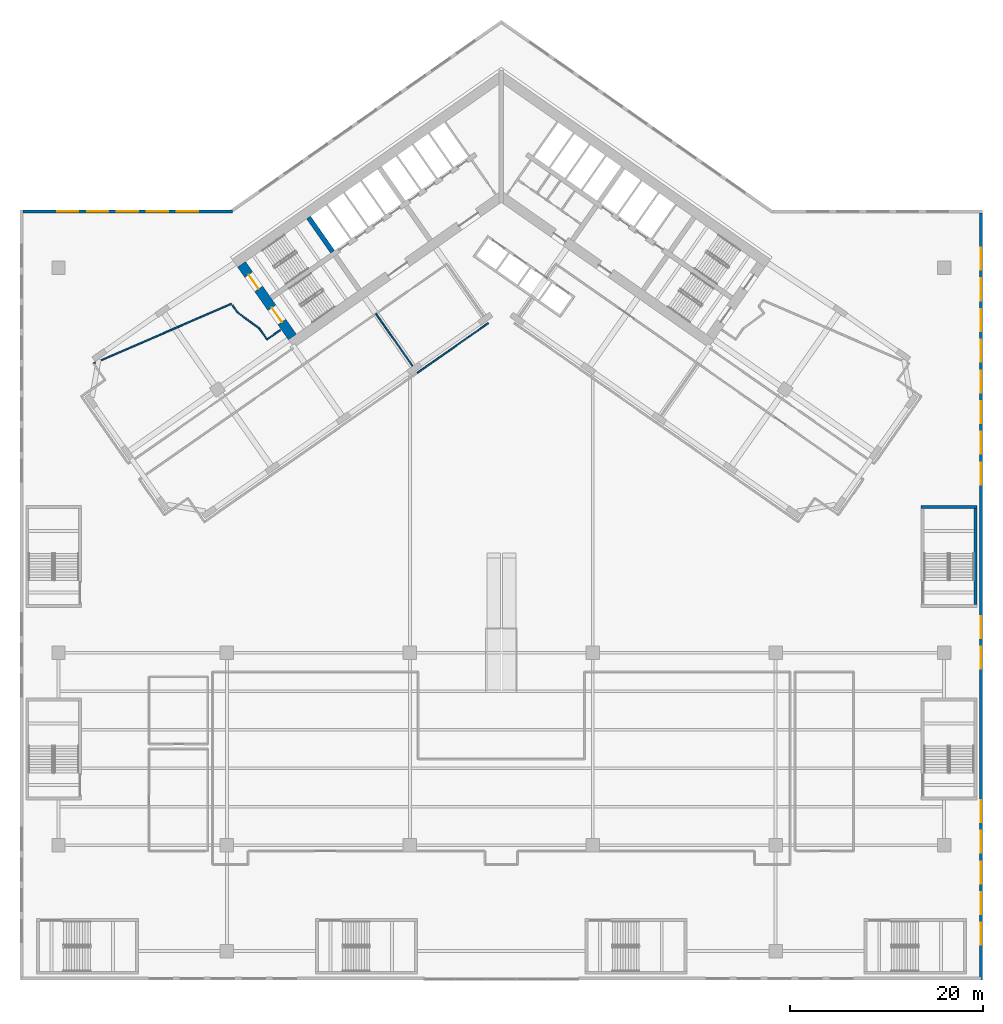
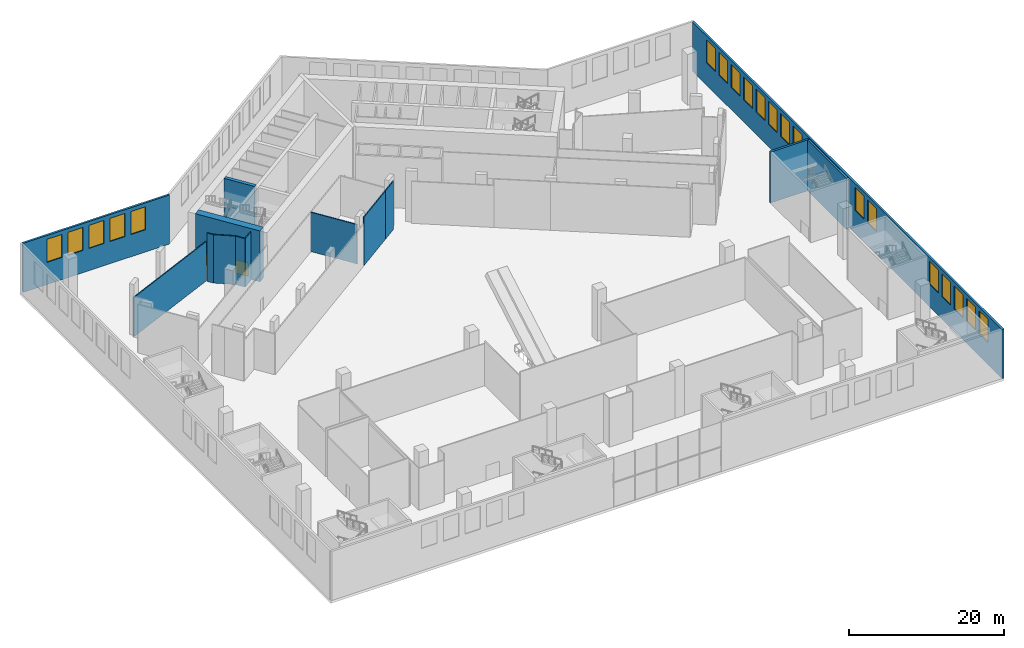
# One storey, part 9 of 27: 20 windows, 14 walls, 2 doors, 22 openings.
"""IFC4 building model written with IfcOpenShell, lengths in metres."""

from ifc_helpers import new_model, si_unit, direction, frame, frame_2d, origin, place, context, subcontext, project, spatial, polyline, rectangle, outline, extrude, material, layer, layer_set, type_object, element, fill, save


model = new_model("IFC4")

# Units and contexts
model_context = context("Model", 3, precision=1e-05, world=origin(), true_north=direction((0.0, 1.0)))
body_context = subcontext(model_context, "Body", "Model", "MODEL_VIEW")
ifc_project = project(units=[si_unit("LENGTHUNIT", "METRE"), si_unit("AREAUNIT", "SQUARE_METRE"), si_unit("VOLUMEUNIT", "CUBIC_METRE"), si_unit("PLANEANGLEUNIT", "RADIAN"), si_unit("MASSUNIT", "GRAM", prefix="KILO")], contexts=[model_context])

# Site, building, storey
site_placement = place(None, origin())
site = spatial("IfcSite", under=ifc_project, at=site_placement, CompositionType="ELEMENT")
building_placement = place(site_placement, origin())
building = spatial("IfcBuilding", under=site, at=building_placement, Name="Tel Ilan Convention Tower", CompositionType="ELEMENT")
storey_placement = place(building_placement, frame((0.0, 0.0, 18.0)))
storey = spatial("IfcBuildingStorey", under=building, at=storey_placement, Name="L02", CompositionType="ELEMENT", Elevation=18.0)

# Wall, openings, doors
ifc_material_1 = material(Name="Concrete C60/75", Category="concrete")
ifc_layer_1 = layer(ifc_material_1, 1.0)
ifc_layer_set_1 = layer_set([ifc_layer_1], Name="Core Shear Wall 1000 mm C60/75")
wall_type_1 = type_object("IfcWallType", Name="Core Shear Wall 1000 mm C60/75", PredefinedType="SHEAR", material=ifc_layer_set_1)
wall_1_placement = place(storey_placement, frame((-21.70751953125, -15.19970703125, 0.0), z_axis=(0.0, 0.0, 1.0), x_axis=(-0.573576324356, 0.819152122709, 0.0)))
wall_1 = element("IfcWall", 1, at=wall_1_placement, inside=storey, type_object=wall_type_1, Name="L02 core wall W-end", PredefinedType="SHEAR", context=body_context, shape_type="SweptSolid", body=[
    extrude(outline(polyline([(0.0, 0.5), (0.0, -0.5), (9.199951171875, -0.5), (9.199951171875, 0.5), (0.0, 0.5)])), origin(), (0.0, 0.0, 1.0), 8.0),
])
opening_1_placement = place(wall_1_placement, frame((6.10009765625, 0.0, 0.0)))
opening_1 = element("IfcOpeningElement", 2, at=opening_1_placement, cuts=wall_1, Name="Opening SD0501", PredefinedType="OPENING", context=body_context, shape_type="SweptSolid", body=[
    extrude(rectangle(XDim=1.800048828125, YDim=2.10009765625, at=frame_2d((0.89990234375, 1.050048828125))), frame((0.0, 0.510009765625, 0.0), z_axis=(0.0, -1.0, 0.0), x_axis=(1.0, 0.0, 0.0)), (0.0, 0.0, 1.0), 1.02001953125),
])
opening_2_placement = place(wall_1_placement, frame((1.89990234375, 0.0, 0.0)))
opening_2 = element("IfcOpeningElement", 3, at=opening_2_placement, cuts=wall_1, Name="Opening SD0502", PredefinedType="OPENING", context=body_context, shape_type="SweptSolid", body=[
    extrude(rectangle(XDim=1.800048828125, YDim=2.10009765625, at=frame_2d((0.89990234375, 1.050048828125))), frame((0.0, 0.510009765625, 0.0), z_axis=(0.0, -1.0, 0.0), x_axis=(1.0, 0.0, 0.0)), (0.0, 0.0, 1.0), 1.02001953125),
])
ifc_material_2 = material(Name="Galvanised Steel Door Leaf", Category="steel")
door_type = type_object("IfcDoorType", Name="Stair Fire Door 1800 x 2100 FD60S", OperationType="NOTDEFINED", PredefinedType="DOOR", material=ifc_material_2)
door_1_placement = place(opening_1_placement, origin())
door_1 = element("IfcDoor", 4, at=door_1_placement, inside=storey, type_object=door_type, Name="Stair S1 door", OperationType="DOUBLE_DOOR_SINGLE_SWING", OverallHeight=2.10009765625, OverallWidth=1.800048828125, PredefinedType="DOOR", context=body_context, shape_type="SweptSolid", body=[
    extrude(rectangle(XDim=1.800048828125, YDim=2.10009765625, at=frame_2d((0.89990234375, 1.050048828125))), frame((0.0, 0.02490234375, 0.0), z_axis=(0.0, -1.0, 0.0), x_axis=(1.0, 0.0, 0.0)), (0.0, 0.0, 1.0), 0.050048828125),
])
fill(opening_1, door_1)
door_2_placement = place(opening_2_placement, origin())
door_2 = element("IfcDoor", 5, at=door_2_placement, inside=storey, type_object=door_type, Name="Stair S2 door", OperationType="DOUBLE_DOOR_SINGLE_SWING", OverallHeight=2.10009765625, OverallWidth=1.800048828125, PredefinedType="DOOR", context=body_context, shape_type="SweptSolid", body=[
    extrude(rectangle(XDim=1.800048828125, YDim=2.10009765625, at=frame_2d((0.89990234375, 1.050048828125))), frame((0.0, 0.02490234375, 0.0), z_axis=(0.0, -1.0, 0.0), x_axis=(1.0, 0.0, 0.0)), (0.0, 0.0, 1.0), 0.050048828125),
])
fill(opening_2, door_2)

# Walls
ifc_material_3 = material(Name="Concrete C60/75", Category="concrete")
ifc_layer_2 = layer(ifc_material_3, 0.5)
ifc_layer_set_2 = layer_set([ifc_layer_2], Name="Core Shear Wall 500 mm C60/75")
wall_type_2 = type_object("IfcWallType", Name="Core Shear Wall 500 mm C60/75", PredefinedType="SHEAR", material=ifc_layer_set_2)
wall_2_placement = place(storey_placement, frame((-17.526611328125, -6.3515625, 0.0), z_axis=(0.0, 0.0, 1.0), x_axis=(-0.573530143085, 0.819184457233, 0.0)))
element("IfcWall", 6, at=wall_2_placement, inside=storey, type_object=wall_type_2, Name="L02 core wall W-cross2-2", PredefinedType="SHEAR", context=body_context, shape_type="SweptSolid", body=[
    extrude(outline(polyline([(4.35009765625, -0.249755859375), (4.35009765625, 0.250244140625), (0.0, 0.25), (0.0, -0.25), (4.35009765625, -0.249755859375)])), origin(), (0.0, 0.0, 1.0), 8.0),
])
ifc_material_4 = material(Name="Plasterboard on Steel Studs", Category="steel")
ifc_layer_3 = layer(ifc_material_4, 0.14990234375)
ifc_layer_set_3 = layer_set([ifc_layer_3], Name="Fire-rated Partition 150 EI 60")
wall_type_3 = type_object("IfcWallType", Name="Fire-rated Partition 150 EI 60", PredefinedType="PARTITIONING", material=ifc_layer_set_3)
wall_3_placement = place(storey_placement, frame((-8.722900390625, -18.92724609375, 0.0), z_axis=(0.0, 0.0, 1.0), x_axis=(0.81913387212, 0.573602388024, 0.0)))
element("IfcWall", 7, at=wall_3_placement, inside=storey, type_object=wall_type_3, Name="Partition 040", PredefinedType="PARTITIONING", context=body_context, shape_type="SweptSolid", body=[
    extrude(rectangle(XDim=6.5517578125, YDim=0.14990234375, at=frame_2d((3.27587890625, 0.0))), origin(), (0.0, 0.0, 1.0), 7.60009765625),
])
wall_4_placement = place(storey_placement, frame((-3.355224609375, -15.168701171875, 0.0), z_axis=(0.0, 0.0, 1.0), x_axis=(0.819157023945, 0.573569324599, 0.0)))
element("IfcWall", 8, at=wall_4_placement, inside=storey, type_object=wall_type_3, Name="Partition 064", PredefinedType="PARTITIONING", context=body_context, shape_type="SweptSolid", body=[
    extrude(rectangle(XDim=2.450439453125, YDim=0.14990234375, at=frame_2d((1.22509765625, 0.0))), origin(), (0.0, 0.0, 1.0), 7.60009765625),
])
wall_5_placement = place(storey_placement, frame((-28.0263671875, -11.751220703125, 0.0), z_axis=(0.0, 0.0, 1.0), x_axis=(-0.91753357696, -0.397658314577, 0.0)))
element("IfcWall", 9, at=wall_5_placement, inside=storey, type_object=wall_type_3, Name="Partition 069", PredefinedType="PARTITIONING", context=body_context, shape_type="SweptSolid", body=[
    extrude(rectangle(XDim=15.621337890625, YDim=0.14990234375, at=frame_2d((7.810546875, 0.0))), origin(), (0.0, 0.0, 1.0), 6.179931640625),
])
wall_6_placement = place(storey_placement, frame((-22.961181640625, -14.490478515625, 0.0), z_axis=(0.0, 0.0, 1.0), x_axis=(-0.819109000826, -0.573637903879, 0.0)))
element("IfcWall", 10, at=wall_6_placement, inside=storey, type_object=wall_type_3, Name="Partition 070", PredefinedType="PARTITIONING", context=body_context, shape_type="SweptSolid", body=[
    extrude(rectangle(XDim=1.679931640625, YDim=0.14990234375, at=frame_2d((0.83984375, 0.0))), origin(), (0.0, 0.0, 1.0), 7.60009765625),
])
wall_7_placement = place(storey_placement, frame((-24.337158203125, -15.4541015625, 0.0), z_axis=(0.0, 0.0, 1.0), x_axis=(-0.573571252353, 0.819155674139, 0.0)))
element("IfcWall", 11, at=wall_7_placement, inside=storey, type_object=wall_type_3, Name="Partition 071", PredefinedType="PARTITIONING", context=body_context, shape_type="SweptSolid", body=[
    extrude(rectangle(XDim=1.35400390625, YDim=0.14990234375, at=frame_2d((0.677001953125, 0.0))), origin(), (0.0, 0.0, 1.0), 7.60009765625),
])
wall_8_placement = place(storey_placement, frame((-25.11376953125, -14.344970703125, 0.0), z_axis=(0.0, 0.0, 1.0), x_axis=(-0.803169525988, 0.59575054555, 0.0)))
element("IfcWall", 12, at=wall_8_placement, inside=storey, type_object=wall_type_3, Name="Partition 072", PredefinedType="PARTITIONING", context=body_context, shape_type="SweptSolid", body=[
    extrude(rectangle(XDim=2.84619140625, YDim=0.14990234375, at=frame_2d((1.423095703125, 0.0))), origin(), (0.0, 0.0, 1.0), 7.60009765625),
])
wall_9_placement = place(storey_placement, frame((-27.399658203125, -12.6494140625, 0.0), z_axis=(0.0, 0.0, 1.0), x_axis=(-0.573713979357, 0.819055718428, 0.0)))
element("IfcWall", 13, at=wall_9_placement, inside=storey, type_object=wall_type_3, Name="Partition 073", PredefinedType="PARTITIONING", context=body_context, shape_type="SweptSolid", body=[
    extrude(rectangle(XDim=0.91162109375, YDim=0.14990234375, at=frame_2d((0.455810546875, 0.0))), origin(), (0.0, 0.0, 1.0), 7.60009765625),
])
wall_10_placement = place(storey_placement, frame((-9.22119140625, -18.212890625, 0.0), z_axis=(0.0, 0.0, 1.0), x_axis=(-0.573556251799, 0.819166177294, 0.0)))
element("IfcWall", 14, at=wall_10_placement, inside=storey, type_object=wall_type_3, Name="Partition 074", PredefinedType="PARTITIONING", context=body_context, shape_type="SweptSolid", body=[
    extrude(rectangle(XDim=6.630126953125, YDim=0.14990234375, at=frame_2d((3.31494140625, 0.0))), origin(), (0.0, 0.0, 1.0), 6.179931640625),
])

# Wall, openings, windows
ifc_material_5 = material(Name="Bronze aluminium cladding panel on insulated steel frame", Category="steel")
ifc_layer_4 = layer(ifc_material_5, 0.300048828125)
ifc_layer_set_4 = layer_set([ifc_layer_4], Name="PODIUM CLADDING WALL 300")
wall_type_4 = type_object("IfcWallType", Name="PODIUM CLADDING WALL 300", PredefinedType="SOLIDWALL", material=ifc_layer_set_4)
wall_11_placement = place(storey_placement, frame((-49.699951171875, -2.14990234375, 0.0), z_axis=(0.0, 0.0, 1.0), x_axis=(1.0, 0.0, 0.0)))
wall_11 = element("IfcWall", 15, at=wall_11_placement, inside=storey, type_object=wall_type_4, Name="Podium cladding wall", PredefinedType="SOLIDWALL", context=body_context, shape_type="SweptSolid", body=[
    extrude(rectangle(XDim=21.760986328125, YDim=0.300048828125, at=frame_2d((10.88037109375, 0.0))), origin(), (0.0, 0.0, 1.0), 7.719970703125),
])
opening_3_placement = place(wall_11_placement, frame((3.558837890625, 0.0, 3.5)))
opening_3 = element("IfcOpeningElement", 16, at=opening_3_placement, cuts=wall_11, Name="Opening W-05.026", PredefinedType="OPENING", context=body_context, shape_type="SweptSolid", body=[
    extrude(rectangle(XDim=2.208740234375, YDim=3.6201171875, at=frame_2d((1.1044921875, 1.81005859375))), frame((0.0, 0.159912109375, 0.0), z_axis=(0.0, -1.0, 0.0), x_axis=(1.0, 0.0, 0.0)), (0.0, 0.0, 1.0), 0.320068359375),
])
opening_4_placement = place(wall_11_placement, frame((6.66748046875, 0.0, 3.5)))
opening_4 = element("IfcOpeningElement", 17, at=opening_4_placement, cuts=wall_11, Name="Opening W-05.027", PredefinedType="OPENING", context=body_context, shape_type="SweptSolid", body=[
    extrude(rectangle(XDim=2.208740234375, YDim=3.6201171875, at=frame_2d((1.1044921875, 1.81005859375))), frame((0.0, 0.159912109375, 0.0), z_axis=(0.0, -1.0, 0.0), x_axis=(1.0, 0.0, 0.0)), (0.0, 0.0, 1.0), 0.320068359375),
])
opening_5_placement = place(wall_11_placement, frame((9.776123046875, 0.0, 3.5)))
opening_5 = element("IfcOpeningElement", 18, at=opening_5_placement, cuts=wall_11, Name="Opening W-05.028", PredefinedType="OPENING", context=body_context, shape_type="SweptSolid", body=[
    extrude(rectangle(XDim=2.208740234375, YDim=3.6201171875, at=frame_2d((1.1044921875, 1.81005859375))), frame((0.0, 0.159912109375, 0.0), z_axis=(0.0, -1.0, 0.0), x_axis=(1.0, 0.0, 0.0)), (0.0, 0.0, 1.0), 0.320068359375),
])
opening_6_placement = place(wall_11_placement, frame((12.884765625, 0.0, 3.5)))
opening_6 = element("IfcOpeningElement", 19, at=opening_6_placement, cuts=wall_11, Name="Opening W-05.029", PredefinedType="OPENING", context=body_context, shape_type="SweptSolid", body=[
    extrude(rectangle(XDim=2.208740234375, YDim=3.6201171875, at=frame_2d((1.1044921875, 1.81005859375))), frame((0.0, 0.159912109375, 0.0), z_axis=(0.0, -1.0, 0.0), x_axis=(1.0, 0.0, 0.0)), (0.0, 0.0, 1.0), 0.320068359375),
])
opening_7_placement = place(wall_11_placement, frame((15.99365234375, 0.0, 3.5)))
opening_7 = element("IfcOpeningElement", 20, at=opening_7_placement, cuts=wall_11, Name="Opening W-05.030", PredefinedType="OPENING", context=body_context, shape_type="SweptSolid", body=[
    extrude(rectangle(XDim=2.208740234375, YDim=3.6201171875, at=frame_2d((1.1044921875, 1.81005859375))), frame((0.0, 0.159912109375, 0.0), z_axis=(0.0, -1.0, 0.0), x_axis=(1.0, 0.0, 0.0)), (0.0, 0.0, 1.0), 0.320068359375),
])
ifc_material_6 = material(Name="Aluminium framed glazing, bronze anodised, tinted glass", Category="aluminium")
window_type_1 = type_object("IfcWindowType", Name="PODIUM WINDOW 2209x3620", PartitioningType="SINGLE_PANEL", PredefinedType="WINDOW", material=ifc_material_6)
window_1_placement = place(opening_3_placement, origin())
window_1 = element("IfcWindow", 21, at=window_1_placement, inside=storey, type_object=window_type_1, Name="Podium window", OverallHeight=3.6201171875, OverallWidth=2.208740234375, PartitioningType="SINGLE_PANEL", PredefinedType="WINDOW", context=body_context, shape_type="SweptSolid", body=[
    extrude(rectangle(XDim=2.208740234375, YDim=3.6201171875, at=frame_2d((1.1044921875, 1.81005859375))), frame((0.0, 0.030029296875, 0.0), z_axis=(0.0, -1.0, 0.0), x_axis=(1.0, 0.0, 0.0)), (0.0, 0.0, 1.0), 0.06005859375),
])
fill(opening_3, window_1)
window_2_placement = place(opening_4_placement, origin())
window_2 = element("IfcWindow", 22, at=window_2_placement, inside=storey, type_object=window_type_1, Name="Podium window", OverallHeight=3.6201171875, OverallWidth=2.208740234375, PartitioningType="SINGLE_PANEL", PredefinedType="WINDOW", context=body_context, shape_type="SweptSolid", body=[
    extrude(rectangle(XDim=2.208740234375, YDim=3.6201171875, at=frame_2d((1.1044921875, 1.81005859375))), frame((0.0, 0.030029296875, 0.0), z_axis=(0.0, -1.0, 0.0), x_axis=(1.0, 0.0, 0.0)), (0.0, 0.0, 1.0), 0.06005859375),
])
fill(opening_4, window_2)
window_3_placement = place(opening_5_placement, origin())
window_3 = element("IfcWindow", 23, at=window_3_placement, inside=storey, type_object=window_type_1, Name="Podium window", OverallHeight=3.6201171875, OverallWidth=2.208740234375, PartitioningType="SINGLE_PANEL", PredefinedType="WINDOW", context=body_context, shape_type="SweptSolid", body=[
    extrude(rectangle(XDim=2.208740234375, YDim=3.6201171875, at=frame_2d((1.1044921875, 1.81005859375))), frame((0.0, 0.030029296875, 0.0), z_axis=(0.0, -1.0, 0.0), x_axis=(1.0, 0.0, 0.0)), (0.0, 0.0, 1.0), 0.06005859375),
])
fill(opening_5, window_3)
window_4_placement = place(opening_6_placement, origin())
window_4 = element("IfcWindow", 24, at=window_4_placement, inside=storey, type_object=window_type_1, Name="Podium window", OverallHeight=3.6201171875, OverallWidth=2.208740234375, PartitioningType="SINGLE_PANEL", PredefinedType="WINDOW", context=body_context, shape_type="SweptSolid", body=[
    extrude(rectangle(XDim=2.208740234375, YDim=3.6201171875, at=frame_2d((1.1044921875, 1.81005859375))), frame((0.0, 0.030029296875, 0.0), z_axis=(0.0, -1.0, 0.0), x_axis=(1.0, 0.0, 0.0)), (0.0, 0.0, 1.0), 0.06005859375),
])
fill(opening_6, window_4)
window_5_placement = place(opening_7_placement, origin())
window_5 = element("IfcWindow", 25, at=window_5_placement, inside=storey, type_object=window_type_1, Name="Podium window", OverallHeight=3.6201171875, OverallWidth=2.208740234375, PartitioningType="SINGLE_PANEL", PredefinedType="WINDOW", context=body_context, shape_type="SweptSolid", body=[
    extrude(rectangle(XDim=2.208740234375, YDim=3.6201171875, at=frame_2d((1.1044921875, 1.81005859375))), frame((0.0, 0.030029296875, 0.0), z_axis=(0.0, -1.0, 0.0), x_axis=(1.0, 0.0, 0.0)), (0.0, 0.0, 1.0), 0.06005859375),
])
fill(opening_7, window_5)

wall_12_placement = place(storey_placement, frame((49.85009765625, -2.300048828125, 0.0), z_axis=(0.0, 0.0, 1.0), x_axis=(0.0, -1.0, 0.0)))
wall_12 = element("IfcWall", 26, at=wall_12_placement, inside=storey, type_object=wall_type_4, Name="Podium cladding wall", PredefinedType="SOLIDWALL", context=body_context, shape_type="SweptSolid", body=[
    extrude(rectangle(XDim=79.699951171875, YDim=0.300048828125, at=frame_2d((39.85009765625, 0.0))), origin(), (0.0, 0.0, 1.0), 7.719970703125),
])
opening_8_placement = place(wall_12_placement, frame((3.637939453125, 0.0, 3.5)))
opening_8 = element("IfcOpeningElement", 27, at=opening_8_placement, cuts=wall_12, Name="Opening W-05.054", PredefinedType="OPENING", context=body_context, shape_type="SweptSolid", body=[
    extrude(rectangle(XDim=2.2880859375, YDim=3.6201171875, at=frame_2d((1.14404296875, 1.81005859375))), frame((0.0, 0.159912109375, 0.0), z_axis=(0.0, -1.0, 0.0), x_axis=(1.0, 0.0, 0.0)), (0.0, 0.0, 1.0), 0.320068359375),
])
opening_9_placement = place(wall_12_placement, frame((6.825927734375, 0.0, 3.5)))
opening_9 = element("IfcOpeningElement", 28, at=opening_9_placement, cuts=wall_12, Name="Opening W-05.055", PredefinedType="OPENING", context=body_context, shape_type="SweptSolid", body=[
    extrude(rectangle(XDim=2.2880859375, YDim=3.6201171875, at=frame_2d((1.14404296875, 1.81005859375))), frame((0.0, 0.159912109375, 0.0), z_axis=(0.0, -1.0, 0.0), x_axis=(1.0, 0.0, 0.0)), (0.0, 0.0, 1.0), 0.320068359375),
])
opening_10_placement = place(wall_12_placement, frame((10.013916015625, 0.0, 3.5)))
opening_10 = element("IfcOpeningElement", 29, at=opening_10_placement, cuts=wall_12, Name="Opening W-05.056", PredefinedType="OPENING", context=body_context, shape_type="SweptSolid", body=[
    extrude(rectangle(XDim=2.2880859375, YDim=3.6201171875, at=frame_2d((1.14404296875, 1.81005859375))), frame((0.0, 0.159912109375, 0.0), z_axis=(0.0, -1.0, 0.0), x_axis=(1.0, 0.0, 0.0)), (0.0, 0.0, 1.0), 0.320068359375),
])
opening_11_placement = place(wall_12_placement, frame((13.201904296875, 0.0, 3.5)))
opening_11 = element("IfcOpeningElement", 30, at=opening_11_placement, cuts=wall_12, Name="Opening W-05.057", PredefinedType="OPENING", context=body_context, shape_type="SweptSolid", body=[
    extrude(rectangle(XDim=2.2880859375, YDim=3.6201171875, at=frame_2d((1.14404296875, 1.81005859375))), frame((0.0, 0.159912109375, 0.0), z_axis=(0.0, -1.0, 0.0), x_axis=(1.0, 0.0, 0.0)), (0.0, 0.0, 1.0), 0.320068359375),
])
opening_12_placement = place(wall_12_placement, frame((16.389892578125, 0.0, 3.5)))
opening_12 = element("IfcOpeningElement", 31, at=opening_12_placement, cuts=wall_12, Name="Opening W-05.058", PredefinedType="OPENING", context=body_context, shape_type="SweptSolid", body=[
    extrude(rectangle(XDim=2.2880859375, YDim=3.6201171875, at=frame_2d((1.14404296875, 1.81005859375))), frame((0.0, 0.159912109375, 0.0), z_axis=(0.0, -1.0, 0.0), x_axis=(1.0, 0.0, 0.0)), (0.0, 0.0, 1.0), 0.320068359375),
])
opening_13_placement = place(wall_12_placement, frame((19.577880859375, 0.0, 3.5)))
opening_13 = element("IfcOpeningElement", 32, at=opening_13_placement, cuts=wall_12, Name="Opening W-05.059", PredefinedType="OPENING", context=body_context, shape_type="SweptSolid", body=[
    extrude(rectangle(XDim=2.2880859375, YDim=3.6201171875, at=frame_2d((1.14404296875, 1.81005859375))), frame((0.0, 0.159912109375, 0.0), z_axis=(0.0, -1.0, 0.0), x_axis=(1.0, 0.0, 0.0)), (0.0, 0.0, 1.0), 0.320068359375),
])
opening_14_placement = place(wall_12_placement, frame((22.76611328125, 0.0, 3.5)))
opening_14 = element("IfcOpeningElement", 33, at=opening_14_placement, cuts=wall_12, Name="Opening W-05.060", PredefinedType="OPENING", context=body_context, shape_type="SweptSolid", body=[
    extrude(rectangle(XDim=2.2880859375, YDim=3.6201171875, at=frame_2d((1.14404296875, 1.81005859375))), frame((0.0, 0.159912109375, 0.0), z_axis=(0.0, -1.0, 0.0), x_axis=(1.0, 0.0, 0.0)), (0.0, 0.0, 1.0), 0.320068359375),
])
opening_15_placement = place(wall_12_placement, frame((25.9541015625, 0.0, 3.5)))
opening_15 = element("IfcOpeningElement", 34, at=opening_15_placement, cuts=wall_12, Name="Opening W-05.061", PredefinedType="OPENING", context=body_context, shape_type="SweptSolid", body=[
    extrude(rectangle(XDim=2.2880859375, YDim=3.6201171875, at=frame_2d((1.14404296875, 1.81005859375))), frame((0.0, 0.159912109375, 0.0), z_axis=(0.0, -1.0, 0.0), x_axis=(1.0, 0.0, 0.0)), (0.0, 0.0, 1.0), 0.320068359375),
])
opening_16_placement = place(wall_12_placement, frame((41.89404296875, 0.0, 3.5)))
opening_16 = element("IfcOpeningElement", 35, at=opening_16_placement, cuts=wall_12, Name="Opening W-05.062", PredefinedType="OPENING", context=body_context, shape_type="SweptSolid", body=[
    extrude(rectangle(XDim=2.2880859375, YDim=3.6201171875, at=frame_2d((1.14404296875, 1.81005859375))), frame((0.0, 0.159912109375, 0.0), z_axis=(0.0, -1.0, 0.0), x_axis=(1.0, 0.0, 0.0)), (0.0, 0.0, 1.0), 0.320068359375),
])
opening_17_placement = place(wall_12_placement, frame((45.08203125, 0.0, 3.5)))
opening_17 = element("IfcOpeningElement", 36, at=opening_17_placement, cuts=wall_12, Name="Opening W-05.063", PredefinedType="OPENING", context=body_context, shape_type="SweptSolid", body=[
    extrude(rectangle(XDim=2.2880859375, YDim=3.6201171875, at=frame_2d((1.14404296875, 1.81005859375))), frame((0.0, 0.159912109375, 0.0), z_axis=(0.0, -1.0, 0.0), x_axis=(1.0, 0.0, 0.0)), (0.0, 0.0, 1.0), 0.320068359375),
])
opening_18_placement = place(wall_12_placement, frame((61.02197265625, 0.0, 3.5)))
opening_18 = element("IfcOpeningElement", 37, at=opening_18_placement, cuts=wall_12, Name="Opening W-05.064", PredefinedType="OPENING", context=body_context, shape_type="SweptSolid", body=[
    extrude(rectangle(XDim=2.2880859375, YDim=3.6201171875, at=frame_2d((1.14404296875, 1.81005859375))), frame((0.0, 0.159912109375, 0.0), z_axis=(0.0, -1.0, 0.0), x_axis=(1.0, 0.0, 0.0)), (0.0, 0.0, 1.0), 0.320068359375),
])
opening_19_placement = place(wall_12_placement, frame((64.2099609375, 0.0, 3.5)))
opening_19 = element("IfcOpeningElement", 38, at=opening_19_placement, cuts=wall_12, Name="Opening W-05.065", PredefinedType="OPENING", context=body_context, shape_type="SweptSolid", body=[
    extrude(rectangle(XDim=2.2880859375, YDim=3.6201171875, at=frame_2d((1.14404296875, 1.81005859375))), frame((0.0, 0.159912109375, 0.0), z_axis=(0.0, -1.0, 0.0), x_axis=(1.0, 0.0, 0.0)), (0.0, 0.0, 1.0), 0.320068359375),
])
opening_20_placement = place(wall_12_placement, frame((67.39794921875, 0.0, 3.5)))
opening_20 = element("IfcOpeningElement", 39, at=opening_20_placement, cuts=wall_12, Name="Opening W-05.066", PredefinedType="OPENING", context=body_context, shape_type="SweptSolid", body=[
    extrude(rectangle(XDim=2.2880859375, YDim=3.6201171875, at=frame_2d((1.14404296875, 1.81005859375))), frame((0.0, 0.159912109375, 0.0), z_axis=(0.0, -1.0, 0.0), x_axis=(1.0, 0.0, 0.0)), (0.0, 0.0, 1.0), 0.320068359375),
])
opening_21_placement = place(wall_12_placement, frame((70.5859375, 0.0, 3.5)))
opening_21 = element("IfcOpeningElement", 40, at=opening_21_placement, cuts=wall_12, Name="Opening W-05.067", PredefinedType="OPENING", context=body_context, shape_type="SweptSolid", body=[
    extrude(rectangle(XDim=2.2880859375, YDim=3.6201171875, at=frame_2d((1.14404296875, 1.81005859375))), frame((0.0, 0.159912109375, 0.0), z_axis=(0.0, -1.0, 0.0), x_axis=(1.0, 0.0, 0.0)), (0.0, 0.0, 1.0), 0.320068359375),
])
opening_22_placement = place(wall_12_placement, frame((73.77392578125, 0.0, 3.5)))
opening_22 = element("IfcOpeningElement", 41, at=opening_22_placement, cuts=wall_12, Name="Opening W-05.068", PredefinedType="OPENING", context=body_context, shape_type="SweptSolid", body=[
    extrude(rectangle(XDim=2.2880859375, YDim=3.6201171875, at=frame_2d((1.14404296875, 1.81005859375))), frame((0.0, 0.159912109375, 0.0), z_axis=(0.0, -1.0, 0.0), x_axis=(1.0, 0.0, 0.0)), (0.0, 0.0, 1.0), 0.320068359375),
])
ifc_material_7 = material(Name="Aluminium framed glazing, bronze anodised, tinted glass", Category="aluminium")
window_type_2 = type_object("IfcWindowType", Name="PODIUM WINDOW 2288x3620", PartitioningType="SINGLE_PANEL", PredefinedType="WINDOW", material=ifc_material_7)
window_6_placement = place(opening_8_placement, origin())
window_6 = element("IfcWindow", 42, at=window_6_placement, inside=storey, type_object=window_type_2, Name="Podium window", OverallHeight=3.6201171875, OverallWidth=2.2880859375, PartitioningType="SINGLE_PANEL", PredefinedType="WINDOW", context=body_context, shape_type="SweptSolid", body=[
    extrude(rectangle(XDim=2.2880859375, YDim=3.6201171875, at=frame_2d((1.14404296875, 1.81005859375))), frame((0.0, 0.030029296875, 0.0), z_axis=(0.0, -1.0, 0.0), x_axis=(1.0, 0.0, 0.0)), (0.0, 0.0, 1.0), 0.06005859375),
])
fill(opening_8, window_6)
window_7_placement = place(opening_9_placement, origin())
window_7 = element("IfcWindow", 43, at=window_7_placement, inside=storey, type_object=window_type_2, Name="Podium window", OverallHeight=3.6201171875, OverallWidth=2.2880859375, PartitioningType="SINGLE_PANEL", PredefinedType="WINDOW", context=body_context, shape_type="SweptSolid", body=[
    extrude(rectangle(XDim=2.2880859375, YDim=3.6201171875, at=frame_2d((1.14404296875, 1.81005859375))), frame((0.0, 0.030029296875, 0.0), z_axis=(0.0, -1.0, 0.0), x_axis=(1.0, 0.0, 0.0)), (0.0, 0.0, 1.0), 0.06005859375),
])
fill(opening_9, window_7)
window_8_placement = place(opening_10_placement, origin())
window_8 = element("IfcWindow", 44, at=window_8_placement, inside=storey, type_object=window_type_2, Name="Podium window", OverallHeight=3.6201171875, OverallWidth=2.2880859375, PartitioningType="SINGLE_PANEL", PredefinedType="WINDOW", context=body_context, shape_type="SweptSolid", body=[
    extrude(rectangle(XDim=2.2880859375, YDim=3.6201171875, at=frame_2d((1.14404296875, 1.81005859375))), frame((0.0, 0.030029296875, 0.0), z_axis=(0.0, -1.0, 0.0), x_axis=(1.0, 0.0, 0.0)), (0.0, 0.0, 1.0), 0.06005859375),
])
fill(opening_10, window_8)
window_9_placement = place(opening_11_placement, origin())
window_9 = element("IfcWindow", 45, at=window_9_placement, inside=storey, type_object=window_type_2, Name="Podium window", OverallHeight=3.6201171875, OverallWidth=2.2880859375, PartitioningType="SINGLE_PANEL", PredefinedType="WINDOW", context=body_context, shape_type="SweptSolid", body=[
    extrude(rectangle(XDim=2.2880859375, YDim=3.6201171875, at=frame_2d((1.14404296875, 1.81005859375))), frame((0.0, 0.030029296875, 0.0), z_axis=(0.0, -1.0, 0.0), x_axis=(1.0, 0.0, 0.0)), (0.0, 0.0, 1.0), 0.06005859375),
])
fill(opening_11, window_9)
window_10_placement = place(opening_12_placement, origin())
window_10 = element("IfcWindow", 46, at=window_10_placement, inside=storey, type_object=window_type_2, Name="Podium window", OverallHeight=3.6201171875, OverallWidth=2.2880859375, PartitioningType="SINGLE_PANEL", PredefinedType="WINDOW", context=body_context, shape_type="SweptSolid", body=[
    extrude(rectangle(XDim=2.2880859375, YDim=3.6201171875, at=frame_2d((1.14404296875, 1.81005859375))), frame((0.0, 0.030029296875, 0.0), z_axis=(0.0, -1.0, 0.0), x_axis=(1.0, 0.0, 0.0)), (0.0, 0.0, 1.0), 0.06005859375),
])
fill(opening_12, window_10)
window_11_placement = place(opening_13_placement, origin())
window_11 = element("IfcWindow", 47, at=window_11_placement, inside=storey, type_object=window_type_2, Name="Podium window", OverallHeight=3.6201171875, OverallWidth=2.2880859375, PartitioningType="SINGLE_PANEL", PredefinedType="WINDOW", context=body_context, shape_type="SweptSolid", body=[
    extrude(rectangle(XDim=2.2880859375, YDim=3.6201171875, at=frame_2d((1.14404296875, 1.81005859375))), frame((0.0, 0.030029296875, 0.0), z_axis=(0.0, -1.0, 0.0), x_axis=(1.0, 0.0, 0.0)), (0.0, 0.0, 1.0), 0.06005859375),
])
fill(opening_13, window_11)
window_12_placement = place(opening_14_placement, origin())
window_12 = element("IfcWindow", 48, at=window_12_placement, inside=storey, type_object=window_type_2, Name="Podium window", OverallHeight=3.6201171875, OverallWidth=2.2880859375, PartitioningType="SINGLE_PANEL", PredefinedType="WINDOW", context=body_context, shape_type="SweptSolid", body=[
    extrude(rectangle(XDim=2.2880859375, YDim=3.6201171875, at=frame_2d((1.14404296875, 1.81005859375))), frame((0.0, 0.030029296875, 0.0), z_axis=(0.0, -1.0, 0.0), x_axis=(1.0, 0.0, 0.0)), (0.0, 0.0, 1.0), 0.06005859375),
])
fill(opening_14, window_12)
window_13_placement = place(opening_15_placement, origin())
window_13 = element("IfcWindow", 49, at=window_13_placement, inside=storey, type_object=window_type_2, Name="Podium window", OverallHeight=3.6201171875, OverallWidth=2.2880859375, PartitioningType="SINGLE_PANEL", PredefinedType="WINDOW", context=body_context, shape_type="SweptSolid", body=[
    extrude(rectangle(XDim=2.2880859375, YDim=3.6201171875, at=frame_2d((1.14404296875, 1.81005859375))), frame((0.0, 0.030029296875, 0.0), z_axis=(0.0, -1.0, 0.0), x_axis=(1.0, 0.0, 0.0)), (0.0, 0.0, 1.0), 0.06005859375),
])
fill(opening_15, window_13)
window_14_placement = place(opening_16_placement, origin())
window_14 = element("IfcWindow", 50, at=window_14_placement, inside=storey, type_object=window_type_2, Name="Podium window", OverallHeight=3.6201171875, OverallWidth=2.2880859375, PartitioningType="SINGLE_PANEL", PredefinedType="WINDOW", context=body_context, shape_type="SweptSolid", body=[
    extrude(rectangle(XDim=2.2880859375, YDim=3.6201171875, at=frame_2d((1.14404296875, 1.81005859375))), frame((0.0, 0.030029296875, 0.0), z_axis=(0.0, -1.0, 0.0), x_axis=(1.0, 0.0, 0.0)), (0.0, 0.0, 1.0), 0.06005859375),
])
fill(opening_16, window_14)
window_15_placement = place(opening_17_placement, origin())
window_15 = element("IfcWindow", 51, at=window_15_placement, inside=storey, type_object=window_type_2, Name="Podium window", OverallHeight=3.6201171875, OverallWidth=2.2880859375, PartitioningType="SINGLE_PANEL", PredefinedType="WINDOW", context=body_context, shape_type="SweptSolid", body=[
    extrude(rectangle(XDim=2.2880859375, YDim=3.6201171875, at=frame_2d((1.14404296875, 1.81005859375))), frame((0.0, 0.030029296875, 0.0), z_axis=(0.0, -1.0, 0.0), x_axis=(1.0, 0.0, 0.0)), (0.0, 0.0, 1.0), 0.06005859375),
])
fill(opening_17, window_15)
window_16_placement = place(opening_18_placement, origin())
window_16 = element("IfcWindow", 52, at=window_16_placement, inside=storey, type_object=window_type_2, Name="Podium window", OverallHeight=3.6201171875, OverallWidth=2.2880859375, PartitioningType="SINGLE_PANEL", PredefinedType="WINDOW", context=body_context, shape_type="SweptSolid", body=[
    extrude(rectangle(XDim=2.2880859375, YDim=3.6201171875, at=frame_2d((1.14404296875, 1.81005859375))), frame((0.0, 0.030029296875, 0.0), z_axis=(0.0, -1.0, 0.0), x_axis=(1.0, 0.0, 0.0)), (0.0, 0.0, 1.0), 0.06005859375),
])
fill(opening_18, window_16)
window_17_placement = place(opening_19_placement, origin())
window_17 = element("IfcWindow", 53, at=window_17_placement, inside=storey, type_object=window_type_2, Name="Podium window", OverallHeight=3.6201171875, OverallWidth=2.2880859375, PartitioningType="SINGLE_PANEL", PredefinedType="WINDOW", context=body_context, shape_type="SweptSolid", body=[
    extrude(rectangle(XDim=2.2880859375, YDim=3.6201171875, at=frame_2d((1.14404296875, 1.81005859375))), frame((0.0, 0.030029296875, 0.0), z_axis=(0.0, -1.0, 0.0), x_axis=(1.0, 0.0, 0.0)), (0.0, 0.0, 1.0), 0.06005859375),
])
fill(opening_19, window_17)
window_18_placement = place(opening_20_placement, origin())
window_18 = element("IfcWindow", 54, at=window_18_placement, inside=storey, type_object=window_type_2, Name="Podium window", OverallHeight=3.6201171875, OverallWidth=2.2880859375, PartitioningType="SINGLE_PANEL", PredefinedType="WINDOW", context=body_context, shape_type="SweptSolid", body=[
    extrude(rectangle(XDim=2.2880859375, YDim=3.6201171875, at=frame_2d((1.14404296875, 1.81005859375))), frame((0.0, 0.030029296875, 0.0), z_axis=(0.0, -1.0, 0.0), x_axis=(1.0, 0.0, 0.0)), (0.0, 0.0, 1.0), 0.06005859375),
])
fill(opening_20, window_18)
window_19_placement = place(opening_21_placement, origin())
window_19 = element("IfcWindow", 55, at=window_19_placement, inside=storey, type_object=window_type_2, Name="Podium window", OverallHeight=3.6201171875, OverallWidth=2.2880859375, PartitioningType="SINGLE_PANEL", PredefinedType="WINDOW", context=body_context, shape_type="SweptSolid", body=[
    extrude(rectangle(XDim=2.2880859375, YDim=3.6201171875, at=frame_2d((1.14404296875, 1.81005859375))), frame((0.0, 0.030029296875, 0.0), z_axis=(0.0, -1.0, 0.0), x_axis=(1.0, 0.0, 0.0)), (0.0, 0.0, 1.0), 0.06005859375),
])
fill(opening_21, window_19)
window_20_placement = place(opening_22_placement, origin())
window_20 = element("IfcWindow", 56, at=window_20_placement, inside=storey, type_object=window_type_2, Name="Podium window", OverallHeight=3.6201171875, OverallWidth=2.2880859375, PartitioningType="SINGLE_PANEL", PredefinedType="WINDOW", context=body_context, shape_type="SweptSolid", body=[
    extrude(rectangle(XDim=2.2880859375, YDim=3.6201171875, at=frame_2d((1.14404296875, 1.81005859375))), frame((0.0, 0.030029296875, 0.0), z_axis=(0.0, -1.0, 0.0), x_axis=(1.0, 0.0, 0.0)), (0.0, 0.0, 1.0), 0.06005859375),
])
fill(opening_22, window_20)

# Walls
ifc_material_8 = material(Name="Concrete C40/50", Category="concrete")
ifc_layer_5 = layer(ifc_material_8, 0.300048828125)
ifc_layer_set_5 = layer_set([ifc_layer_5], Name="Stair Enclosure Wall 300 mm C40/50")
wall_type_5 = type_object("IfcWallType", Name="Stair Enclosure Wall 300 mm C40/50", PredefinedType="SOLIDWALL", material=ifc_layer_set_5)
wall_13_placement = place(storey_placement, frame((43.60009765625, -32.85009765625, 0.0), z_axis=(0.0, 0.0, 1.0), x_axis=(1.0, 0.0, 0.0)))
element("IfcWall", 57, at=wall_13_placement, inside=storey, type_object=wall_type_5, Name="P8 stair enclosure wall N L02", PredefinedType="SOLIDWALL", context=body_context, shape_type="SweptSolid", body=[
    extrude(rectangle(XDim=5.7998046875, YDim=0.300048828125, at=frame_2d((2.89990234375, 0.0))), origin(), (0.0, 0.0, 1.0), 8.0),
])
wall_14_placement = place(storey_placement, frame((49.25, -43.0, 0.0), z_axis=(0.0, 0.0, 1.0), x_axis=(0.0, 1.0, 0.0)))
element("IfcWall", 58, at=wall_14_placement, inside=storey, type_object=wall_type_5, Name="P8 stair enclosure wall E L02", PredefinedType="SOLIDWALL", context=body_context, shape_type="SweptSolid", body=[
    extrude(rectangle(XDim=10.0, YDim=0.300048828125, at=frame_2d((5.0, 0.0))), origin(), (0.0, 0.0, 1.0), 8.0),
])

save(model, "model.ifc")
